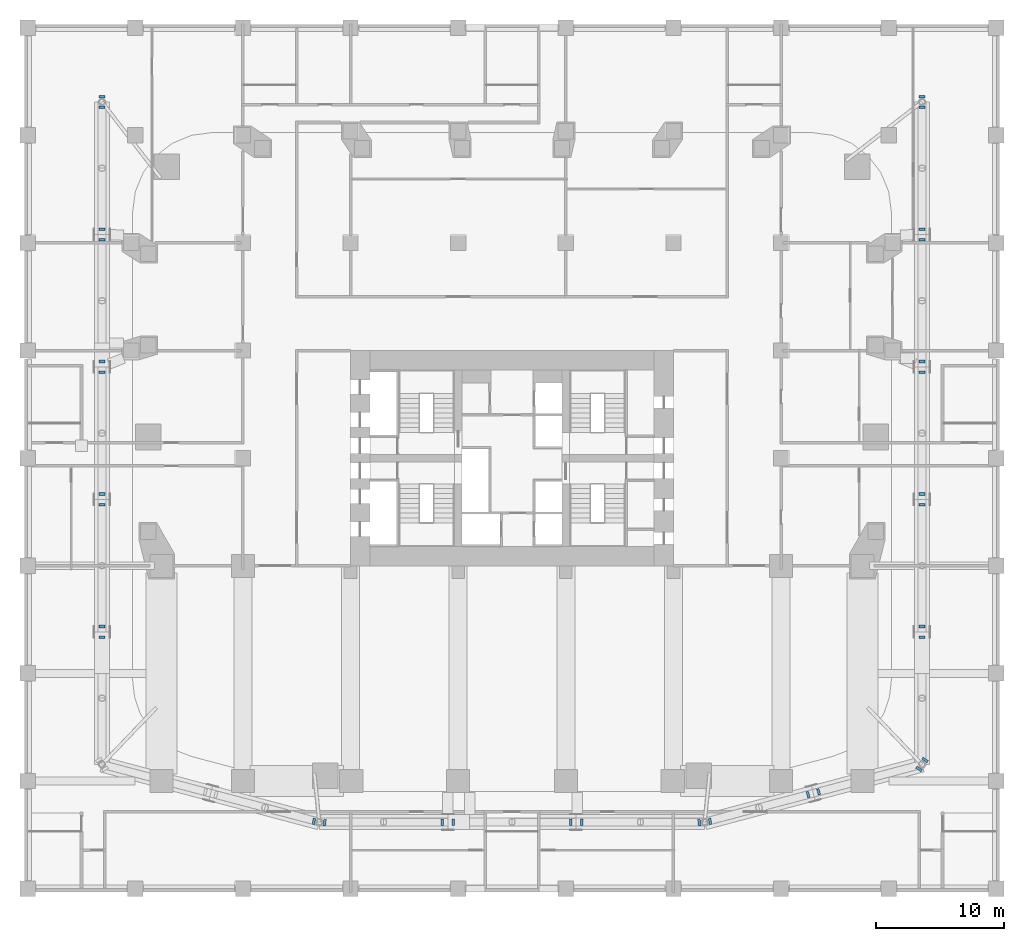
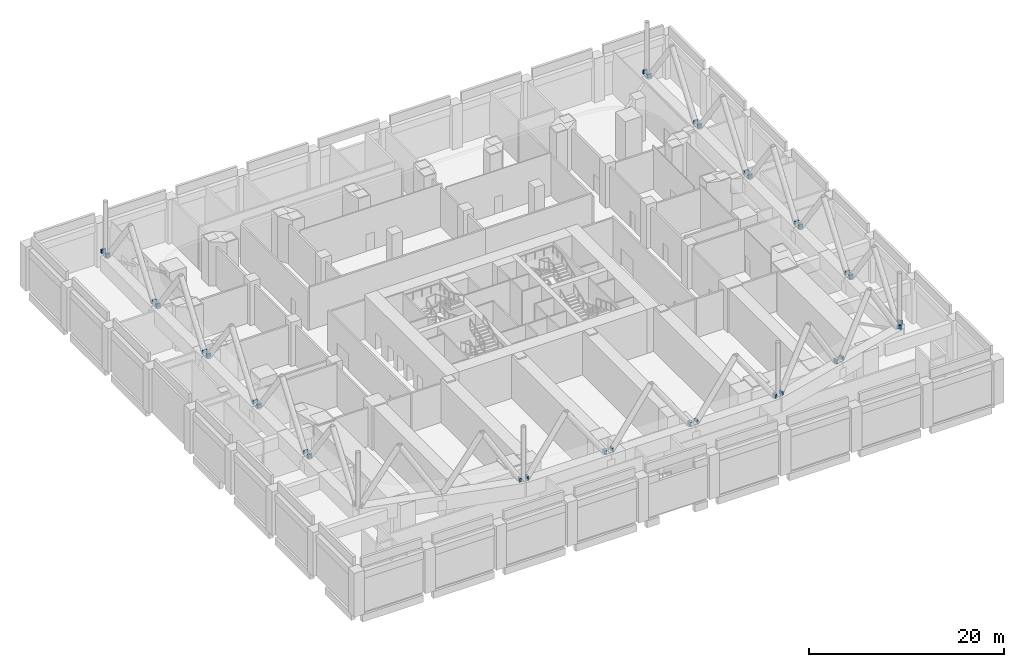
# One storey, part 15 of 17: 32 discrete accessories.
"""IFC4 building model written with IfcOpenShell, lengths in metres."""

from ifc_helpers import new_model, si_unit, direction, frame, origin, origin_2d, place, context, subcontext, project, spatial, rectangle, extrude, material, layer, layer_set, type_object, element, save


model = new_model("IFC4")

# Units and contexts
model_context = context("Model", 3, precision=1e-05, world=origin(), true_north=direction((0.0, 1.0)))
body_context = subcontext(model_context, "Body", "Model", "MODEL_VIEW")
ifc_project = project(units=[si_unit("LENGTHUNIT", "METRE"), si_unit("AREAUNIT", "SQUARE_METRE"), si_unit("VOLUMEUNIT", "CUBIC_METRE"), si_unit("PLANEANGLEUNIT", "RADIAN"), si_unit("MASSUNIT", "GRAM", prefix="KILO")], contexts=[model_context])

# Site, building, storey
site_placement = place(None, origin())
site = spatial("IfcSite", under=ifc_project, at=site_placement, CompositionType="ELEMENT")
building_placement = place(site_placement, origin())
building = spatial("IfcBuilding", under=site, at=building_placement, Name="Marenta Gate Hotel Tower", CompositionType="ELEMENT")
storey_placement = place(building_placement, frame((0.0, 0.0, 31.0)))
storey = spatial("IfcBuildingStorey", under=building, at=storey_placement, Name="L05", CompositionType="ELEMENT", Elevation=31.0)

# Discrete accessories
ifc_material = material(Name="Steel S355J2W", Category="steel")
ifc_layer = layer(ifc_material, 0.02001953125)
ifc_layer_set = layer_set([ifc_layer], Name="Steel S355J2W")
discrete_accessory_type = type_object("IfcDiscreteAccessoryType", Name="Node base gusset bracket 20 mm", PredefinedType="BRACKET", material=ifc_layer_set)
for number, where, z_axis, x_axis, name in (
    (1, (32.0, 36.625, 5.5), (0.0, 0.0, 1.0), (0.0, -1.0, 0.0), "GB2 Node base gusset bracket"),
    (2, (32.0, 35.77490234375, 5.5), (0.0, 0.0, 1.0), (0.0, -1.0, 0.0), "GB2 Node base gusset bracket"),
    (3, (32.0, 26.284912109375, 5.5), (0.0, 0.0, 1.0), (0.0, -1.0, 0.0), "GB2 Node base gusset bracket"),
    (4, (32.0, 25.43505859375, 5.5), (0.0, 0.0, 1.0), (0.0, -1.0, 0.0), "GB2 Node base gusset bracket"),
    (5, (32.0, 15.94482421875, 5.5), (0.0, 0.0, 1.0), (0.0, -1.0, 0.0), "GB2 Node base gusset bracket"),
    (6, (32.0, 15.094970703125, 5.5), (0.0, 0.0, 1.0), (0.0, -1.0, 0.0), "GB2 Node base gusset bracket"),
    (7, (32.0, 5.60498046875, 5.5), (0.0, 0.0, 1.0), (0.0, -1.0, 0.0), "GB2 Node base gusset bracket"),
    (8, (32.0, 4.7548828125, 5.5), (0.0, 0.0, 1.0), (0.0, -1.0, 0.0), "GB2 Node base gusset bracket"),
    (9, (32.0, -4.735107421875, 5.5), (0.0, 0.0, 1.0), (0.0, -1.0, 0.0), "GB2 Node base gusset bracket"),
    (10, (32.0, -5.585205078125, 5.5), (0.0, 0.0, 1.0), (0.0, -1.0, 0.0), "GB2 Node base gusset bracket"),
    (11, (32.2373046875, -15.147705078125, 5.5), (0.0, 0.0, 1.0), (-0.558670445898, -0.829389735215, 0.0), "GB2 Node base gusset bracket"),
    (12, (31.7626953125, -15.8525390625, 5.5), (0.0, 0.0, 1.0), (-0.558670445898, -0.829389735215, 0.0), "GB2 Node base gusset bracket"),
    (13, (23.930419921875, -17.64111328125, 5.5), (0.0, 0.0, 1.0), (-0.966561622525, -0.256434455293, 0.0), "GB2 Node base gusset bracket"),
    (14, (23.108642578125, -17.859130859375, 5.5), (0.0, 0.0, 1.0), (-0.966561622525, -0.256434455293, 0.0), "GB2 Node base gusset bracket"),
    (15, (15.4609375, -19.94873046875, 5.5), (0.0, 0.0, 1.0), (-0.992690721954, -0.120686082651, 0.0), "GB2 Node base gusset bracket"),
    (16, (14.6171875, -20.05126953125, 5.5), (0.0, 0.0, 1.0), (-0.992690721954, -0.120686082651, 0.0), "GB2 Node base gusset bracket"),
    (17, (5.43798828125, -20.0, 5.5), (0.0, 0.0, 1.0), (-1.0, 0.0, 0.0), "GB2 Node base gusset bracket"),
    (18, (4.587890625, -20.0, 5.5), (0.0, 0.0, 1.0), (-1.0, 0.0, 0.0), "GB2 Node base gusset bracket"),
    (19, (-4.587890625, -20.0, 5.5), (0.0, 0.0, 1.0), (-1.0, 0.0, 0.0), "GB2 Node base gusset bracket"),
    (20, (-5.43798828125, -20.0, 5.5), (0.0, 0.0, 1.0), (-1.0, 0.0, 0.0), "GB2 Node base gusset bracket"),
    (21, (-14.6171875, -20.05126953125, 5.5), (0.0, 0.0, 1.0), (-0.992690721954, 0.120686082651, 0.0), "GB2 Node base gusset bracket"),
    (22, (-15.4609375, -19.94873046875, 5.5), (0.0, 0.0, 1.0), (-0.992690721954, 0.120686082651, 0.0), "GB2 Node base gusset bracket"),
    (23, (-32.0, -5.585205078125, 5.5), (0.0, 0.0, 1.0), (0.0, 1.0, 0.0), "GB2 Node base gusset bracket"),
    (24, (-32.0, -4.735107421875, 5.5), (0.0, 0.0, 1.0), (0.0, 1.0, 0.0), "GB2 Node base gusset bracket"),
    (25, (-32.0, 4.7548828125, 5.5), (0.0, 0.0, 1.0), (0.0, 1.0, 0.0), "GB2 Node base gusset bracket"),
    (26, (-32.0, 5.60498046875, 5.5), (0.0, 0.0, 1.0), (0.0, 1.0, 0.0), "GB2 Node base gusset bracket"),
    (27, (-32.0, 15.094970703125, 5.5), (0.0, 0.0, 1.0), (0.0, 1.0, 0.0), "GB2 Node base gusset bracket"),
    (28, (-32.0, 15.94482421875, 5.5), (0.0, 0.0, 1.0), (0.0, 1.0, 0.0), "GB2 Node base gusset bracket"),
    (29, (-32.0, 25.43505859375, 5.5), (0.0, 0.0, 1.0), (0.0, 1.0, 0.0), "GB2 Node base gusset bracket"),
    (30, (-32.0, 26.284912109375, 5.5), (0.0, 0.0, 1.0), (0.0, 1.0, 0.0), "GB2 Node base gusset bracket"),
    (31, (-32.0, 35.77490234375, 5.5), (0.0, 0.0, 1.0), (0.0, 1.0, 0.0), "GB2 Node base gusset bracket"),
    (32, (-32.0, 36.625, 5.5), (0.0, 0.0, 1.0), (0.0, 1.0, 0.0), "GB2 Node base gusset bracket"),
):
    element("IfcDiscreteAccessory", number, at=place(storey_placement, frame(where, z_axis=z_axis, x_axis=x_axis)), inside=storey, type_object=discrete_accessory_type, Name=name, PredefinedType="BRACKET", context=body_context, shape_type="SweptSolid", body=[
        extrude(rectangle(XDim=0.199951171875, YDim=0.5, at=origin_2d()), origin(), (0.0, 0.0, 1.0), 0.449951171875),
    ])

save(model, "model.ifc")
